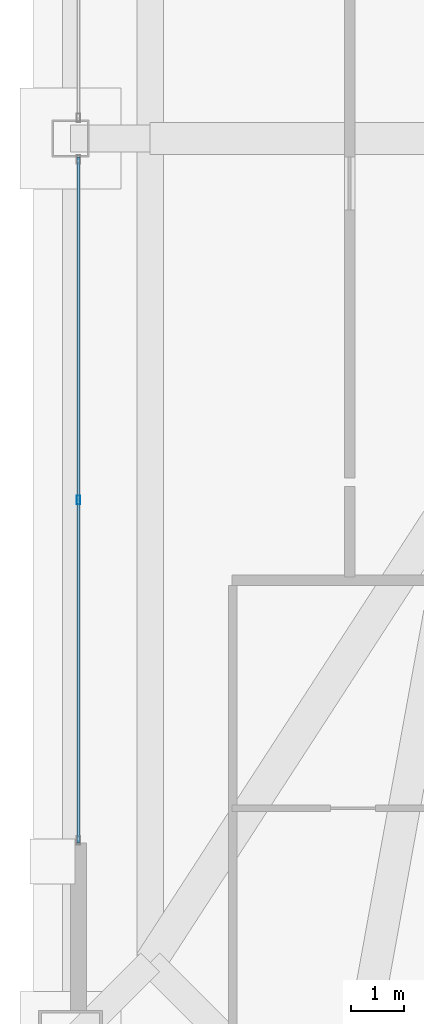
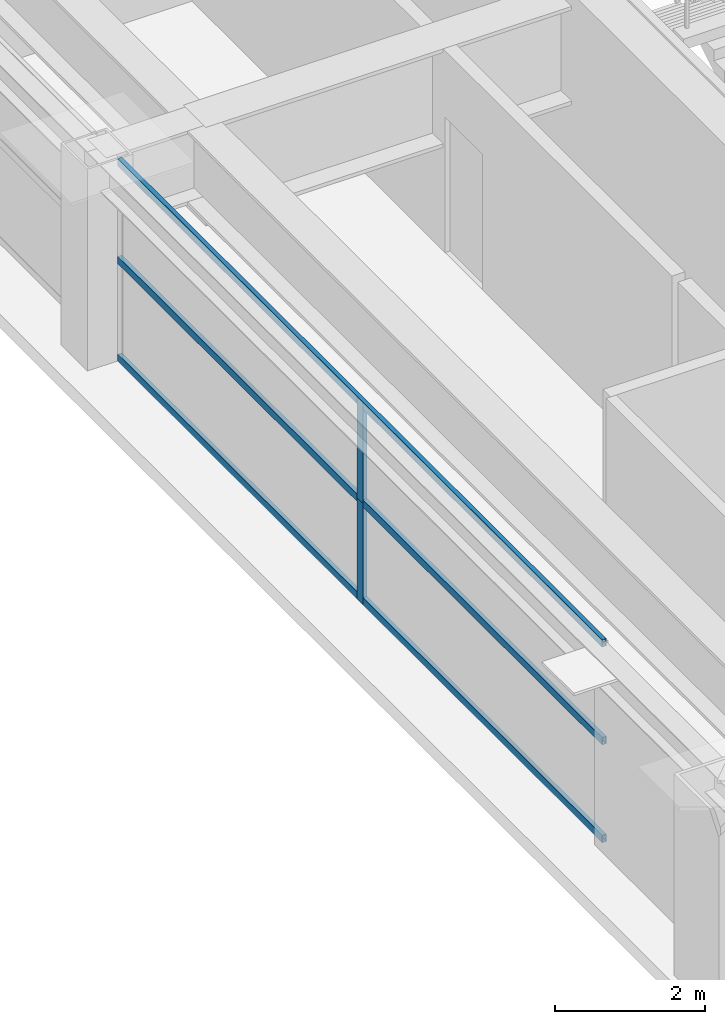
# One storey, part 8 of 33: 5 members, 1 element without a shape of its own.
"""IFC4 building model written with IfcOpenShell, lengths in metres."""

from ifc_helpers import new_model, si_unit, direction, frame, origin, origin_2d, place, context, subcontext, project, spatial, hollow_rectangle, extrude, source, transform, mapped, material, layer, layer_set, material_profile, profile_set, type_object, element, aggregate, save


model = new_model("IFC4")

# Units and contexts
model_context = context("Model", 3, precision=1e-05, world=origin(), true_north=direction((0.0, 1.0)))
body_context = subcontext(model_context, "Body", "Model", "MODEL_VIEW")
ifc_project = project(units=[si_unit("LENGTHUNIT", "METRE"), si_unit("AREAUNIT", "SQUARE_METRE"), si_unit("VOLUMEUNIT", "CUBIC_METRE"), si_unit("PLANEANGLEUNIT", "RADIAN"), si_unit("MASSUNIT", "GRAM", prefix="KILO"), si_unit("THERMODYNAMICTEMPERATUREUNIT", "KELVIN"), si_unit("POWERUNIT", "WATT")], contexts=[model_context])

# Site, building, storey
site_placement = place(None, origin())
site = spatial("IfcSite", under=ifc_project, at=site_placement, CompositionType="ELEMENT")
building_placement = place(site_placement, origin())
building = spatial("IfcBuilding", under=site, at=building_placement, Name="Yuzanri Waterfront Tower", CompositionType="ELEMENT")
storey_placement = place(building_placement, frame((0.0, 0.0, 282.10009765625)))
storey = spatial("IfcBuildingStorey", under=building, at=storey_placement, Name="L75", CompositionType="ELEMENT", Elevation=282.10009765625)

# Curtain wall, members
ifc_material_1 = material(Name="Anodized Architectural Bronze", Category="metal")
ifc_layer = layer(ifc_material_1, 0.159912109375)
ifc_layer_set = layer_set([ifc_layer], Name="Anodized Architectural Bronze")
curtain_wall_type = type_object("IfcCurtainWallType", Name="Anodized Bronze Mid-Rise Residential Acoustic Unitized Curtain Wall 7200", PredefinedType="NOTDEFINED", material=ifc_layer_set)
curtain_wall_placement = place(storey_placement, origin())
curtain_wall = element("IfcCurtainWall", 1, at=curtain_wall_placement, inside=storey, type_object=curtain_wall_type, Name="L75 Curtain Wall CW-L75-WL", PredefinedType="NOTDEFINED")
ifc_material_2 = material(Name="Anodized Architectural Bronze", Category="metal")
ifc_material_profile_1 = material_profile(ifc_material_2, hollow_rectangle(XDim=0.06494140625, YDim=0.159912109375, WallThickness=0.00341796875, at=origin_2d()), Name="CWM 65x160")
ifc_profile_set_1 = profile_set([ifc_material_profile_1], Name="Anodized Architectural Bronze")
member_type_1 = type_object("IfcMemberType", Name="Anodized Bronze Upper-Zone Curtain-Wall Mullion 65x160", PredefinedType="MULLION", material=ifc_profile_set_1)
shared_shape_1 = source(origin(), body_context, "Body", "SweptSolid", [
    extrude(hollow_rectangle(XDim=0.06494140625, YDim=0.159912109375, WallThickness=0.00341796875, at=origin_2d()), origin(), (0.0, 0.0, 1.0), 1.637939453125),
])
member_1_placement = place(storey_placement, frame((16.550048828125, 19.0, 0.0), z_axis=(0.0, 0.0, 1.0), x_axis=(1.0, 0.0, 0.0)))
member_1 = element("IfcMember", 2, at=member_1_placement, type_object=member_type_1, Name="CW-L75-WL Lower Mullion 01", PredefinedType="MULLION", context=body_context, shape_type="MappedRepresentation", body=[
    mapped(shared_shape_1, transform((0.0, 0.0, 0.0), scale=1.0)),
])
member_2_placement = place(storey_placement, frame((16.550048828125, 19.0, 1.641845703125), z_axis=(0.0, 0.0, 1.0), x_axis=(1.0, 0.0, 0.0)))
member_2 = element("IfcMember", 3, at=member_2_placement, type_object=member_type_1, Name="CW-L75-WL Upper Mullion 01", PredefinedType="MULLION", context=body_context, shape_type="MappedRepresentation", body=[
    mapped(shared_shape_1, transform((0.0, 0.0, 0.0), scale=1.0)),
])
ifc_material_3 = material(Name="Anodized Architectural Bronze", Category="metal")
ifc_material_profile_2 = material_profile(ifc_material_3, hollow_rectangle(XDim=0.06494140625, YDim=0.1201171875, WallThickness=0.00341796875, at=origin_2d()), Name="CWT 65x120")
ifc_profile_set_2 = profile_set([ifc_material_profile_2], Name="Anodized Architectural Bronze")
member_type_2 = type_object("IfcMemberType", Name="Anodized Bronze Secondary Curtain-Wall Transom 65x120", PredefinedType="USERDEFINED", material=ifc_profile_set_2)
shared_shape_2 = source(origin(), body_context, "Body", "SweptSolid", [
    extrude(hollow_rectangle(XDim=0.06494140625, YDim=0.1201171875, WallThickness=0.00341796875, at=origin_2d()), origin(), (0.0, 0.0, 1.0), 12.89990234375),
])
member_3_placement = place(storey_placement, frame((16.550048828125, 12.550048828125, 0.0498046875), z_axis=(0.0, 1.0, 0.0), x_axis=(-1.0, 0.0, 0.0)))
member_3 = element("IfcMember", 4, at=member_3_placement, type_object=member_type_2, Name="CW-L75-WL Transom 1", ObjectType="TRANSOM", PredefinedType="USERDEFINED", context=body_context, shape_type="MappedRepresentation", body=[
    mapped(shared_shape_2, transform((0.0, 0.0, 0.0), scale=1.0)),
])
member_4_placement = place(storey_placement, frame((16.550048828125, 12.550048828125, 1.639892578125), z_axis=(0.0, 1.0, 0.0), x_axis=(-1.0, 0.0, 0.0)))
member_4 = element("IfcMember", 5, at=member_4_placement, type_object=member_type_2, Name="CW-L75-WL Transom 2", ObjectType="TRANSOM", PredefinedType="USERDEFINED", context=body_context, shape_type="MappedRepresentation", body=[
    mapped(shared_shape_2, transform((0.0, 0.0, 0.0), scale=1.0)),
])
member_5_placement = place(storey_placement, frame((16.550048828125, 12.550048828125, 3.22998046875), z_axis=(0.0, 1.0, 0.0), x_axis=(-1.0, 0.0, 0.0)))
member_5 = element("IfcMember", 6, at=member_5_placement, type_object=member_type_2, Name="CW-L75-WL Transom 3", ObjectType="TRANSOM", PredefinedType="USERDEFINED", context=body_context, shape_type="MappedRepresentation", body=[
    mapped(shared_shape_2, transform((0.0, 0.0, 0.0), scale=1.0)),
])
aggregate(curtain_wall, [member_1, member_2, member_3, member_4, member_5])

save(model, "model.ifc")
